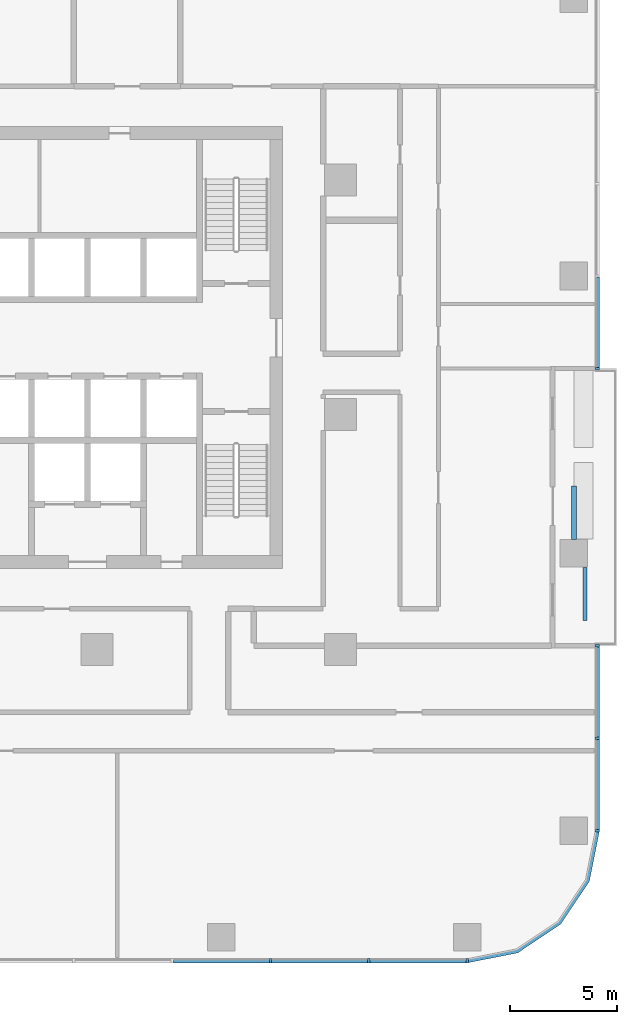
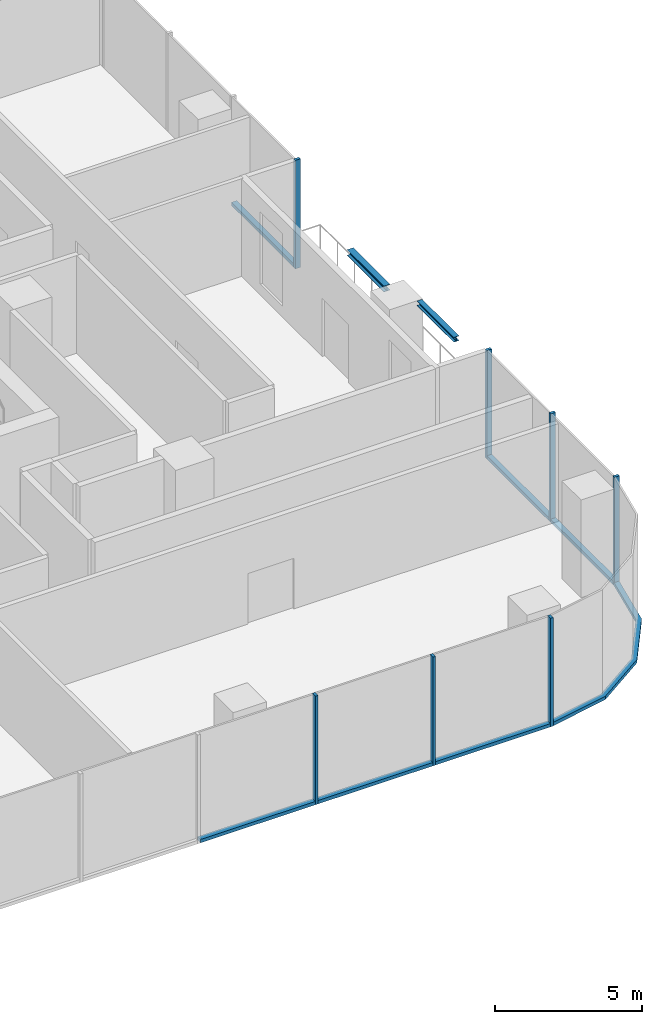
# One storey, part 3 of 14: 14 members, 2 beams, 4 elements without a shape of their own.
"""IFC4 building model written with IfcOpenShell, lengths in metres."""

from ifc_helpers import new_model, si_unit, direction, frame, origin, origin_2d, place, context, subcontext, project, spatial, polyline, rectangle, i_section, outline, extrude, material, material_profile, profile_set, type_object, element, aggregate, save


model = new_model("IFC4")

# Units and contexts
model_context = context("Model", 3, precision=1e-05, world=origin(), true_north=direction((0.0, 1.0)))
body_context = subcontext(model_context, "Body", "Model", "MODEL_VIEW")
ifc_project = project(units=[si_unit("LENGTHUNIT", "METRE"), si_unit("AREAUNIT", "SQUARE_METRE"), si_unit("VOLUMEUNIT", "CUBIC_METRE"), si_unit("PLANEANGLEUNIT", "RADIAN"), si_unit("MASSUNIT", "GRAM", prefix="KILO")], contexts=[model_context])

# Site, building, storey
site_placement = place(None, origin())
site = spatial("IfcSite", under=ifc_project, at=site_placement, CompositionType="ELEMENT")
building_placement = place(site_placement, origin())
building = spatial("IfcBuilding", under=site, at=building_placement, Name="Mopane Tessera Tower", CompositionType="ELEMENT")
storey_placement = place(building_placement, frame((0.0, 0.0, 139.60009765625)))
storey = spatial("IfcBuildingStorey", under=building, at=storey_placement, Name="L28", CompositionType="ELEMENT", Elevation=139.60009765625)

# Curtain wall, members
ifc_material_1 = material(Name="Aluminium frame", Category="aluminium")
curtain_wall_type = type_object("IfcCurtainWallType", Name="Lower tower unitised wall", PredefinedType="NOTDEFINED", material=ifc_material_1)
curtain_wall_1_placement = place(storey_placement, origin())
curtain_wall_1 = element("IfcCurtainWall", 1, at=curtain_wall_1_placement, inside=storey, type_object=curtain_wall_type, Name="e:cw:L28:S:4", PredefinedType="NOTDEFINED")
ifc_material_2 = material(Name="Aluminium frame", Category="aluminium")
ifc_material_profile_1 = material_profile(ifc_material_2, rectangle(XDim=0.110107421875, YDim=0.199951171875, at=origin_2d()))
ifc_profile_set_1 = profile_set([ifc_material_profile_1], Name="Aluminium frame")
member_type_1 = type_object("IfcMemberType", Name="Aluminium mullion 110 x 200", PredefinedType="MULLION", material=ifc_profile_set_1)
member_1_placement = place(storey_placement, frame((13.830078125, -25.60009765625, -0.4501953125), z_axis=(0.0, 0.0, 1.0), x_axis=(1.0, 0.0, 0.0)))
member_1 = element("IfcMember", 2, at=member_1_placement, type_object=member_type_1, Name="e:cw:L28:S:4:mu8", PredefinedType="MULLION", context=body_context, shape_type="SweptSolid", body=[
    extrude(rectangle(XDim=0.110107421875, YDim=0.199951171875, at=origin_2d()), origin(), (0.0, 0.0, 1.0), 4.5),
])
member_2_placement = place(storey_placement, frame((18.43994140625, -25.60009765625, -0.4501953125), z_axis=(0.0, 0.0, 1.0), x_axis=(1.0, 0.0, 0.0)))
member_2 = element("IfcMember", 3, at=member_2_placement, type_object=member_type_1, Name="e:cw:L28:S:4:mu9", PredefinedType="MULLION", context=body_context, shape_type="SweptSolid", body=[
    extrude(rectangle(XDim=0.110107421875, YDim=0.199951171875, at=origin_2d()), origin(), (0.0, 0.0, 1.0), 4.5),
])
member_3_placement = place(storey_placement, frame((23.050048828125, -25.60009765625, -0.4501953125), z_axis=(0.0, 0.0, 1.0), x_axis=(1.0, 0.0, 0.0)))
member_3 = element("IfcMember", 4, at=member_3_placement, type_object=member_type_1, Name="e:cw:L28:S:4:mu10", PredefinedType="MULLION", context=body_context, shape_type="SweptSolid", body=[
    extrude(rectangle(XDim=0.110107421875, YDim=0.199951171875, at=origin_2d()), origin(), (0.0, 0.0, 1.0), 4.5),
])

curtain_wall_2_placement = place(storey_placement, origin())
curtain_wall_2 = element("IfcCurtainWall", 5, at=curtain_wall_2_placement, inside=storey, type_object=curtain_wall_type, Name="e:cw:L28:E:0", PredefinedType="NOTDEFINED")
member_4_placement = place(storey_placement, frame((29.14990234375, -19.5, -0.4501953125), z_axis=(0.0, 0.0, 1.0), x_axis=(0.0, 1.0, 0.0)))
member_4 = element("IfcMember", 6, at=member_4_placement, type_object=member_type_1, Name="e:cw:L28:E:0:mu0", PredefinedType="MULLION", context=body_context, shape_type="SweptSolid", body=[
    extrude(rectangle(XDim=0.110107421875, YDim=0.199951171875, at=origin_2d()), origin(), (0.0, 0.0, 1.0), 4.5),
])
member_5_placement = place(storey_placement, frame((29.14990234375, -15.166748046875, -0.4501953125), z_axis=(0.0, 0.0, 1.0), x_axis=(0.0, 1.0, 0.0)))
member_5 = element("IfcMember", 7, at=member_5_placement, type_object=member_type_1, Name="e:cw:L28:E:0:mu1", PredefinedType="MULLION", context=body_context, shape_type="SweptSolid", body=[
    extrude(rectangle(XDim=0.110107421875, YDim=0.199951171875, at=origin_2d()), origin(), (0.0, 0.0, 1.0), 4.5),
])
member_6_placement = place(storey_placement, frame((29.14990234375, -10.833251953125, -0.4501953125), z_axis=(0.0, 0.0, 1.0), x_axis=(0.0, 1.0, 0.0)))
member_6 = element("IfcMember", 8, at=member_6_placement, type_object=member_type_1, Name="e:cw:L28:E:0:mu2", PredefinedType="MULLION", context=body_context, shape_type="SweptSolid", body=[
    extrude(rectangle(XDim=0.110107421875, YDim=0.199951171875, at=origin_2d()), origin(), (0.0, 0.0, 1.0), 4.5),
])

# Curtain wall, member
curtain_wall_3_placement = place(storey_placement, origin())
curtain_wall_3 = element("IfcCurtainWall", 9, at=curtain_wall_3_placement, inside=storey, type_object=curtain_wall_type, Name="e:cw:L28:E:5", PredefinedType="NOTDEFINED")
member_7_placement = place(storey_placement, frame((29.14990234375, 2.166748046875, -0.4501953125), z_axis=(0.0, 0.0, 1.0), x_axis=(0.0, 1.0, 0.0)))
member_7 = element("IfcMember", 10, at=member_7_placement, type_object=member_type_1, Name="e:cw:L28:E:5:mu5", PredefinedType="MULLION", context=body_context, shape_type="SweptSolid", body=[
    extrude(rectangle(XDim=0.110107421875, YDim=0.199951171875, at=origin_2d()), origin(), (0.0, 0.0, 1.0), 4.5),
])

# Member
ifc_material_3 = material(Name="Aluminium frame", Category="aluminium")
ifc_material_profile_2 = material_profile(ifc_material_3, rectangle(XDim=0.199951171875, YDim=0.139892578125, at=origin_2d()))
ifc_profile_set_2 = profile_set([ifc_material_profile_2], Name="Aluminium frame")
member_type_2 = type_object("IfcMemberType", Name="Aluminium transom 200 x 140", PredefinedType="USERDEFINED", material=ifc_profile_set_2)
member_8_placement = place(storey_placement, frame((9.27490234375, -25.60009765625, -0.380126953125), z_axis=(1.0, 0.0, 0.0), x_axis=(0.0, 1.0, 0.0)))
member_8 = element("IfcMember", 11, at=member_8_placement, type_object=member_type_2, Name="e:cw:L28:S:4:tr7", ObjectType="TRANSOM", PredefinedType="USERDEFINED", context=body_context, shape_type="SweptSolid", body=[
    extrude(rectangle(XDim=0.199951171875, YDim=0.139892578125, at=origin_2d()), origin(), (0.0, 0.0, 1.0), 4.5),
])

member_9_placement = place(storey_placement, frame((13.885009765625, -25.60009765625, -0.380126953125), z_axis=(1.0, 0.0, 0.0), x_axis=(0.0, 1.0, 0.0)))
member_9 = element("IfcMember", 12, at=member_9_placement, type_object=member_type_2, Name="e:cw:L28:S:4:tr8", ObjectType="TRANSOM", PredefinedType="USERDEFINED", context=body_context, shape_type="SweptSolid", body=[
    extrude(rectangle(XDim=0.199951171875, YDim=0.139892578125, at=origin_2d()), origin(), (0.0, 0.0, 1.0), 4.5),
])

member_10_placement = place(storey_placement, frame((18.4951171875, -25.60009765625, -0.380126953125), z_axis=(1.0, 0.0, 0.0), x_axis=(0.0, 1.0, 0.0)))
member_10 = element("IfcMember", 13, at=member_10_placement, type_object=member_type_2, Name="e:cw:L28:S:4:tr9", ObjectType="TRANSOM", PredefinedType="USERDEFINED", context=body_context, shape_type="SweptSolid", body=[
    extrude(rectangle(XDim=0.199951171875, YDim=0.139892578125, at=origin_2d()), origin(), (0.0, 0.0, 1.0), 4.5),
])

aggregate(curtain_wall_1, [member_1, member_2, member_3, member_8, member_9, member_10])

# Curtain wall, member
curtain_wall_4_placement = place(storey_placement, origin())
curtain_wall_4 = element("IfcCurtainWall", 14, at=curtain_wall_4_placement, inside=storey, type_object=curtain_wall_type, Name="e:cw:L28:CS", PredefinedType="NOTDEFINED")
member_11_placement = place(storey_placement, frame((0.0, 0.0, -0.4501953125)))
member_11 = element("IfcMember", 15, at=member_11_placement, type_object=member_type_2, Name="e:cw:L28:CS:tr", ObjectType="TRANSOM", PredefinedType="USERDEFINED", context=body_context, shape_type="SweptSolid", body=[
    extrude(outline(polyline([(23.050048828125, -25.5), (25.34619140625, -25.043212890625), (27.292724609375, -23.74267578125), (28.59326171875, -21.796142578125), (29.050048828125, -19.5), (29.25, -19.5), (28.778076171875, -21.87255859375), (27.43408203125, -23.884033203125), (25.422607421875, -25.22802734375), (23.050048828125, -25.699951171875), (23.050048828125, -25.5)])), origin(), (0.0, 0.0, 1.0), 0.14013671875),
])
aggregate(curtain_wall_4, [member_11])

# Member
member_12_placement = place(storey_placement, frame((29.14990234375, -19.445068359375, -0.380126953125), z_axis=(0.0, 1.0, 0.0), x_axis=(-1.0, 0.0, 0.0)))
member_12 = element("IfcMember", 16, at=member_12_placement, type_object=member_type_2, Name="e:cw:L28:E:0:tr0", ObjectType="TRANSOM", PredefinedType="USERDEFINED", context=body_context, shape_type="SweptSolid", body=[
    extrude(rectangle(XDim=0.199951171875, YDim=0.139892578125, at=origin_2d()), origin(), (0.0, 0.0, 1.0), 4.223388671875),
])

member_13_placement = place(storey_placement, frame((29.14990234375, -15.111572265625, -0.380126953125), z_axis=(0.0, 1.0, 0.0), x_axis=(-1.0, 0.0, 0.0)))
member_13 = element("IfcMember", 17, at=member_13_placement, type_object=member_type_2, Name="e:cw:L28:E:0:tr1", ObjectType="TRANSOM", PredefinedType="USERDEFINED", context=body_context, shape_type="SweptSolid", body=[
    extrude(rectangle(XDim=0.199951171875, YDim=0.139892578125, at=origin_2d()), origin(), (0.0, 0.0, 1.0), 4.22314453125),
])

aggregate(curtain_wall_2, [member_4, member_5, member_6, member_12, member_13])

member_14_placement = place(storey_placement, frame((29.14990234375, 2.2216796875, -0.380126953125), z_axis=(0.0, 1.0, 0.0), x_axis=(-1.0, 0.0, 0.0)))
member_14 = element("IfcMember", 18, at=member_14_placement, type_object=member_type_2, Name="e:cw:L28:E:5:tr5", ObjectType="TRANSOM", PredefinedType="USERDEFINED", context=body_context, shape_type="SweptSolid", body=[
    extrude(rectangle(XDim=0.199951171875, YDim=0.139892578125, at=origin_2d()), origin(), (0.0, 0.0, 1.0), 4.223388671875),
])

aggregate(curtain_wall_3, [member_7, member_14])

# Beams
ifc_material_4 = material(Name="Structural steel S460", Category="steel")
ifc_material_profile_3 = material_profile(ifc_material_4, i_section(OverallWidth=0.239990234375, OverallDepth=0.239990234375, WebThickness=0.010009765625, FlangeThickness=0.01708984375, FilletRadius=0.02099609375, at=origin_2d()))
ifc_profile_set_3 = profile_set([ifc_material_profile_3], Name="Structural steel S460")
beam_type_1 = type_object("IfcBeamType", Name="Terrace spandrel beam HE 240 B", PredefinedType="SPANDREL", material=ifc_profile_set_3)
beam_1_placement = place(storey_placement, frame((28.050048828125, -5.846923828125, 3.929931640625), z_axis=(0.0, 1.0, 0.0), x_axis=(-1.0, 0.0, 0.0)))
element("IfcBeam", 19, at=beam_1_placement, inside=storey, type_object=beam_type_1, Name="Terrace spandrel beam N3 L29", PredefinedType="SPANDREL", context=body_context, shape_type="SweptSolid", body=[
    extrude(i_section(OverallWidth=0.239990234375, OverallDepth=0.239990234375, WebThickness=0.010009765625, FlangeThickness=0.01708984375, FilletRadius=0.02099609375, at=origin_2d()), origin(), (0.0, 0.0, 1.0), 2.5),
])
ifc_material_5 = material(Name="Structural steel S460", Category="steel")
ifc_material_profile_4 = material_profile(ifc_material_5, i_section(OverallWidth=0.199951171875, OverallDepth=0.199951171875, WebThickness=0.009033203125, FlangeThickness=0.014892578125, FilletRadius=0.01806640625, at=origin_2d()))
ifc_profile_set_4 = profile_set([ifc_material_profile_4], Name="Structural steel S460")
beam_type_2 = type_object("IfcBeamType", Name="Terrace trimmer beam HE 200 B", PredefinedType="BEAM", material=ifc_profile_set_4)
beam_2_placement = place(storey_placement, frame((28.570068359375, -7.153076171875, 3.949951171875), z_axis=(0.0, -1.0, 0.0), x_axis=(1.0, 0.0, 0.0)))
element("IfcBeam", 20, at=beam_2_placement, inside=storey, type_object=beam_type_2, Name="Terrace trimmer beam N3 L29", PredefinedType="BEAM", context=body_context, shape_type="SweptSolid", body=[
    extrude(i_section(OverallWidth=0.199951171875, OverallDepth=0.199951171875, WebThickness=0.009033203125, FlangeThickness=0.014892578125, FilletRadius=0.01806640625, at=origin_2d()), origin(), (0.0, 0.0, 1.0), 2.5),
])

save(model, "model.ifc")
